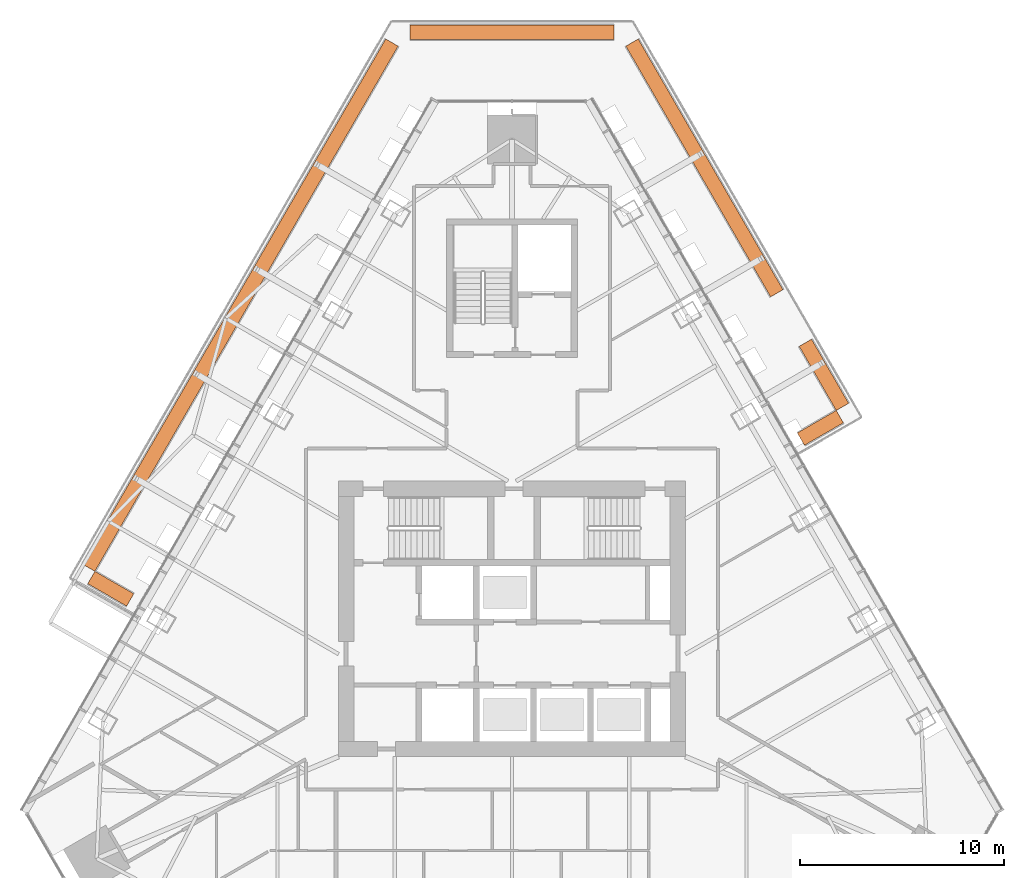
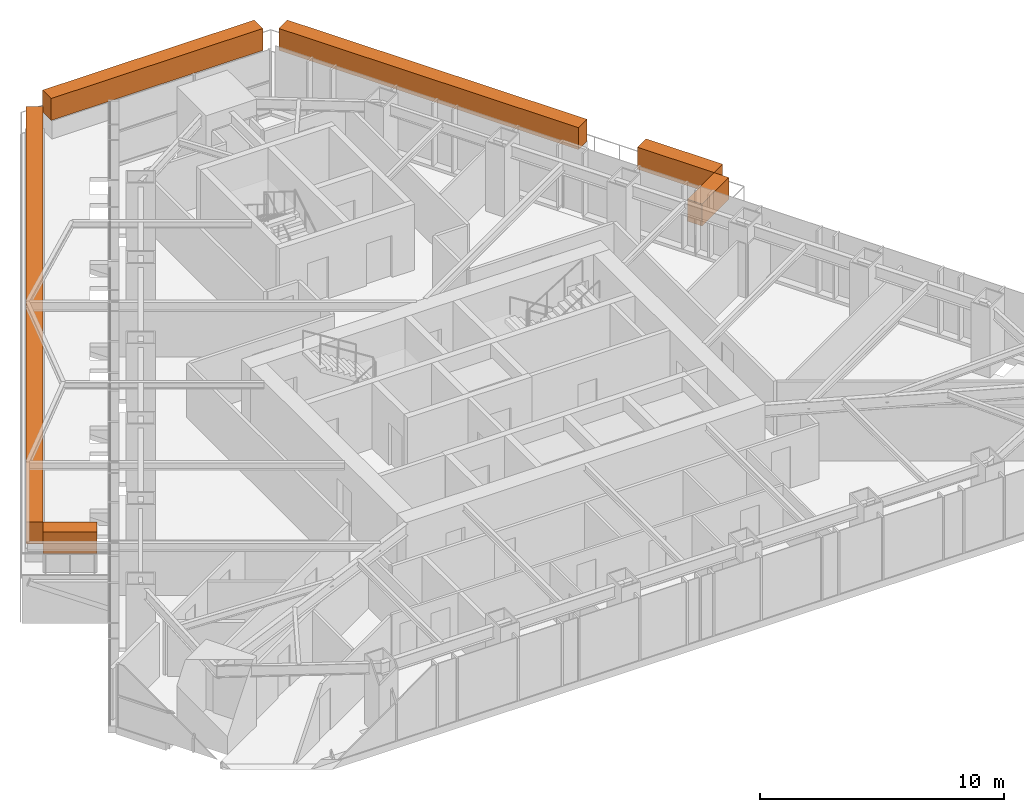
# One storey, part 16 of 16: 6 geographic elements.
"""IFC4 building model written with IfcOpenShell, lengths in metres."""

from ifc_helpers import new_model, si_unit, direction, frame, origin, origin_2d, place, context, subcontext, project, spatial, rectangle, extrude, material, type_object, element, save


model = new_model("IFC4")

# Units and contexts
model_context = context("Model", 3, precision=1e-05, world=origin(), true_north=direction((0.0, 1.0)))
body_context = subcontext(model_context, "Body", "Model", "MODEL_VIEW")
ifc_project = project(units=[si_unit("LENGTHUNIT", "METRE"), si_unit("AREAUNIT", "SQUARE_METRE"), si_unit("VOLUMEUNIT", "CUBIC_METRE"), si_unit("PLANEANGLEUNIT", "RADIAN"), si_unit("MASSUNIT", "GRAM", prefix="KILO")], contexts=[model_context])

# Site, building, storey
site_placement = place(None, origin())
site = spatial("IfcSite", under=ifc_project, at=site_placement, CompositionType="ELEMENT")
building_placement = place(site_placement, origin())
building = spatial("IfcBuilding", under=site, at=building_placement, Name="Firuza Gate Tower and Library", CompositionType="ELEMENT")
storey_placement = place(building_placement, frame((0.0, 0.0, 319.60009765625)))
storey = spatial("IfcBuildingStorey", under=building, at=storey_placement, Name="L78", CompositionType="ELEMENT", Elevation=319.60009765625)

# Geographic elements
ifc_material = material(Name="Foliage")
geographic_element_type = type_object("IfcGeographicElementType", Name="Planted hedge", PredefinedType="USERDEFINED", material=ifc_material)
geographic_element_1_placement = place(storey_placement, frame((90.109130859375, 84.3583984375, 0.89990234375), z_axis=(0.0, 0.0, 1.0), x_axis=(0.866025403784, 0.5, 0.0)))
element("IfcGeographicElement", 1, at=geographic_element_1_placement, inside=storey, type_object=geographic_element_type, Name="Planted hedge", ObjectType="HEDGE", PredefinedType="USERDEFINED", context=body_context, shape_type="SweptSolid", body=[
    extrude(rectangle(XDim=2.199951171875, YDim=0.699951171875, at=origin_2d()), origin(), (0.0, 0.0, 1.0), 1.10009765625),
])
geographic_element_2_placement = place(storey_placement, frame((90.28271484375, 86.95751953125, 0.89990234375), z_axis=(0.0, 0.0, 1.0), x_axis=(-0.5, 0.866025403784, 0.0)))
element("IfcGeographicElement", 2, at=geographic_element_2_placement, inside=storey, type_object=geographic_element_type, Name="Planted hedge", ObjectType="HEDGE", PredefinedType="USERDEFINED", context=body_context, shape_type="SweptSolid", body=[
    extrude(rectangle(XDim=3.628173828125, YDim=0.699951171875, at=origin_2d()), origin(), (0.0, 0.0, 1.0), 1.10009765625),
])
geographic_element_3_placement = place(storey_placement, frame((84.429443359375, 97.095703125, 0.89990234375), z_axis=(0.0, 0.0, 1.0), x_axis=(-0.5, 0.866025403784, 0.0)))
element("IfcGeographicElement", 3, at=geographic_element_3_placement, inside=storey, type_object=geographic_element_type, Name="Planted hedge", ObjectType="HEDGE", PredefinedType="USERDEFINED", context=body_context, shape_type="SweptSolid", body=[
    extrude(rectangle(XDim=14.185302734375, YDim=0.699951171875, at=origin_2d()), origin(), (0.0, 0.0, 1.0), 1.10009765625),
])
geographic_element_4_placement = place(storey_placement, frame((75.0, 103.74267578125, 0.89990234375), z_axis=(0.0, 0.0, 1.0), x_axis=(-1.0, 0.0, 0.0)))
element("IfcGeographicElement", 4, at=geographic_element_4_placement, inside=storey, type_object=geographic_element_type, Name="Planted hedge", ObjectType="HEDGE", PredefinedType="USERDEFINED", context=body_context, shape_type="SweptSolid", body=[
    extrude(rectangle(XDim=10.018798828125, YDim=0.699951171875, at=origin_2d()), origin(), (0.0, 0.0, 1.0), 1.10009765625),
])
geographic_element_5_placement = place(storey_placement, frame((61.688232421875, 90.371337890625, 0.89990234375), z_axis=(0.0, 0.0, 1.0), x_axis=(-0.5, -0.866025403784, 0.0)))
element("IfcGeographicElement", 5, at=geographic_element_5_placement, inside=storey, type_object=geographic_element_type, Name="Planted hedge", ObjectType="HEDGE", PredefinedType="USERDEFINED", context=body_context, shape_type="SweptSolid", body=[
    extrude(rectangle(XDim=29.71484375, YDim=0.699951171875, at=origin_2d()), origin(), (0.0, 0.0, 1.0), 1.10009765625),
])
geographic_element_6_placement = place(storey_placement, frame((55.34033203125, 76.476318359375, 0.89990234375), z_axis=(0.0, 0.0, 1.0), x_axis=(0.866025403784, -0.5, 0.0)))
element("IfcGeographicElement", 6, at=geographic_element_6_placement, inside=storey, type_object=geographic_element_type, Name="Planted hedge", ObjectType="HEDGE", PredefinedType="USERDEFINED", context=body_context, shape_type="SweptSolid", body=[
    extrude(rectangle(XDim=2.199951171875, YDim=0.699951171875, at=origin_2d()), origin(), (0.0, 0.0, 1.0), 1.10009765625),
])

save(model, "model.ifc")
